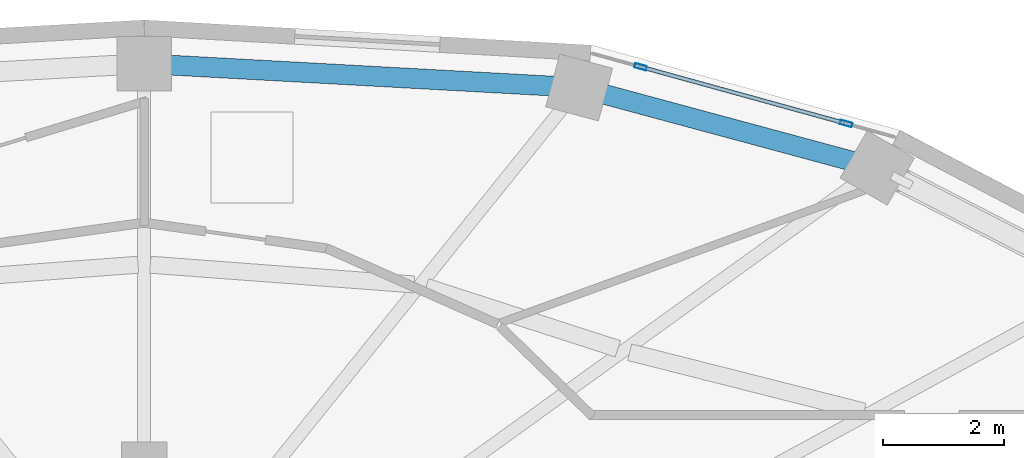
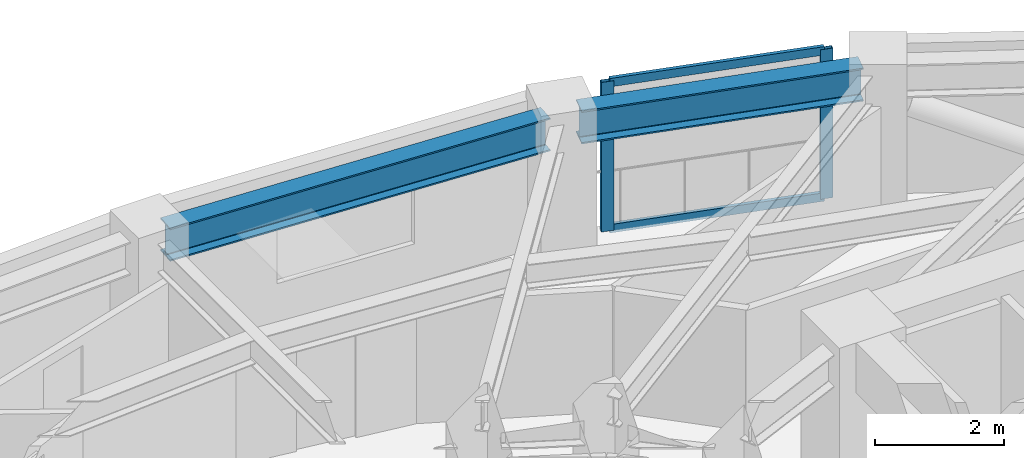
# One storey, part 9 of 17: 4 members, 2 beams, 1 element without a shape of its own.
"""IFC4 building model written with IfcOpenShell, lengths in metres."""

from ifc_helpers import new_model, si_unit, direction, frame, origin, origin_2d, place, context, subcontext, project, spatial, hollow_rectangle, i_section, extrude, material, layer, layer_set, material_profile, profile_set, type_object, element, aggregate, save


model = new_model("IFC4")

# Units and contexts
model_context = context("Model", 3, precision=1e-05, world=origin(), true_north=direction((0.0, 1.0)))
body_context = subcontext(model_context, "Body", "Model", "MODEL_VIEW")
ifc_project = project(units=[si_unit("LENGTHUNIT", "METRE"), si_unit("AREAUNIT", "SQUARE_METRE"), si_unit("VOLUMEUNIT", "CUBIC_METRE"), si_unit("PLANEANGLEUNIT", "RADIAN"), si_unit("MASSUNIT", "GRAM", prefix="KILO")], contexts=[model_context])

# Site, building, storey
site_placement = place(None, origin())
site = spatial("IfcSite", under=ifc_project, at=site_placement, CompositionType="ELEMENT")
building_placement = place(site_placement, origin())
building = spatial("IfcBuilding", under=site, at=building_placement, Name="Solvane Sanctuary Tower", CompositionType="ELEMENT")
storey_placement = place(building_placement, frame((0.0, 0.0, 171.5)))
storey = spatial("IfcBuildingStorey", under=building, at=storey_placement, Name="L52", CompositionType="ELEMENT", Elevation=171.5)

# Beams
ifc_material_1 = material(Name="Steel ASTM A992 Grade 50", Category="steel")
ifc_material_profile_1 = material_profile(ifc_material_1, i_section(OverallWidth=0.327880859375, OverallDepth=0.6279296875, WebThickness=0.0166015625, FlangeThickness=0.027587890625, FilletRadius=0.01611328125, at=origin_2d()), Name="W24X146")
ifc_profile_set_1 = profile_set([ifc_material_profile_1], Name="Steel ASTM A992 Grade 50")
beam_type = type_object("IfcBeamType", Name="Beam B-SPAND-Z3 W24X146", PredefinedType="SPANDREL", material=ifc_profile_set_1)
beam_1_placement = place(storey_placement, frame((32.279541015625, 38.064697265625, 2.56396484375), z_axis=(0.998501325362, -0.054727536496, 0.0), x_axis=(0.054727536496, 0.998501325362, 0.0)))
element("IfcBeam", 1, at=beam_1_placement, inside=storey, type_object=beam_type, Name="L52 Perimeter Spandrel Beam TC04-TC03", PredefinedType="SPANDREL", context=body_context, shape_type="SweptSolid", body=[
    extrude(i_section(OverallWidth=0.327880859375, OverallDepth=0.6279296875, WebThickness=0.0166015625, FlangeThickness=0.027587890625, FilletRadius=0.01611328125, at=origin_2d()), origin(), (0.0, 0.0, 1.0), 6.629150390625),
])
beam_2_placement = place(storey_placement, frame((39.448486328125, 37.61376953125, 2.56396484375), z_axis=(0.965473224565, -0.260502308334, 0.0), x_axis=(0.260502308334, 0.965473224565, 0.0)))
element("IfcBeam", 2, at=beam_2_placement, inside=storey, type_object=beam_type, Name="L52 Perimeter Spandrel Beam TC03-TC02", PredefinedType="SPANDREL", context=body_context, shape_type="SweptSolid", body=[
    extrude(i_section(OverallWidth=0.327880859375, OverallDepth=0.6279296875, WebThickness=0.0166015625, FlangeThickness=0.027587890625, FilletRadius=0.01611328125, at=origin_2d()), origin(), (0.0, 0.0, 1.0), 4.535888671875),
])

# Curtain wall, members
ifc_material_2 = material(Name="Anodised Aluminium 6063-T6", Category="aluminium")
ifc_layer = layer(ifc_material_2, 0.179931640625, Name="Anodised Aluminium 6063-T6")
ifc_layer_set = layer_set([ifc_layer], Name="Anodised Aluminium 6063-T6")
curtain_wall_type = type_object("IfcCurtainWallType", Name="Curtain Wall CW-FRIT-Z2", PredefinedType="NOTDEFINED", material=ifc_layer_set)
curtain_wall_placement = place(storey_placement, origin())
curtain_wall = element("IfcCurtainWall", 3, at=curtain_wall_placement, inside=storey, type_object=curtain_wall_type, Name="L52 CW-FRIT-Z2 Facade Run 04", PredefinedType="NOTDEFINED")
ifc_material_profile_2 = material_profile(ifc_material_2, hollow_rectangle(XDim=0.074951171875, YDim=0.199951171875, WallThickness=0.00390625, at=origin_2d()), Name="ALU200X75X4")
ifc_profile_set_2 = profile_set([ifc_material_profile_2], Name="Anodised Aluminium 6063-T6")
member_type_1 = type_object("IfcMemberType", Name="Member M-CW-MUL-1 ALU200X75X4", PredefinedType="MULLION", material=ifc_profile_set_2)
member_1_placement = place(storey_placement, frame((43.586669921875, 37.091552734375, 0.0), z_axis=(0.0, 0.0, 1.0), x_axis=(-0.266021653965, -0.963967053183, 0.0)))
member_1 = element("IfcMember", 4, at=member_1_placement, type_object=member_type_1, Name="CW-FRIT-Z2 mullion 1", PredefinedType="MULLION", context=body_context, shape_type="SweptSolid", body=[
    extrude(hollow_rectangle(XDim=0.074951171875, YDim=0.199951171875, WallThickness=0.00390625, at=origin_2d()), origin(), (0.0, 0.0, 1.0), 2.840087890625),
])
member_2_placement = place(storey_placement, frame((40.191650390625, 38.0283203125, 0.0), z_axis=(0.0, 0.0, 1.0), x_axis=(-0.266021653965, -0.963967053183, 0.0)))
member_2 = element("IfcMember", 5, at=member_2_placement, type_object=member_type_1, Name="CW-FRIT-Z2 mullion 2", PredefinedType="MULLION", context=body_context, shape_type="SweptSolid", body=[
    extrude(hollow_rectangle(XDim=0.074951171875, YDim=0.199951171875, WallThickness=0.00390625, at=origin_2d()), origin(), (0.0, 0.0, 1.0), 2.840087890625),
])
ifc_material_profile_3 = material_profile(ifc_material_2, hollow_rectangle(XDim=0.06494140625, YDim=0.159912109375, WallThickness=0.00341796875, at=origin_2d()), Name="ALU160X65X3.5")
ifc_profile_set_3 = profile_set([ifc_material_profile_3], Name="Anodised Aluminium 6063-T6")
member_type_2 = type_object("IfcMemberType", Name="Member M-CW-TRN-1 ALU160X65X3.5", PredefinedType="USERDEFINED", material=ifc_profile_set_3)
member_3_placement = place(storey_placement, frame((43.55029296875, 37.1015625, 0.032470703125), z_axis=(-0.963960051492, 0.266047024278, 0.0), x_axis=(-0.266047024278, -0.963960051492, 0.0)))
member_3 = element("IfcMember", 6, at=member_3_placement, type_object=member_type_2, Name="CW-FRIT-Z2 transom 1.1", ObjectType="TRANSOM", PredefinedType="USERDEFINED", context=body_context, shape_type="SweptSolid", body=[
    extrude(hollow_rectangle(XDim=0.06494140625, YDim=0.159912109375, WallThickness=0.00341796875, at=origin_2d()), origin(), (0.0, 0.0, 1.0), 3.44677734375),
])
member_4_placement = place(storey_placement, frame((43.55029296875, 37.1015625, 2.8076171875), z_axis=(-0.963960051492, 0.266047024278, 0.0), x_axis=(-0.266047024278, -0.963960051492, 0.0)))
member_4 = element("IfcMember", 7, at=member_4_placement, type_object=member_type_2, Name="CW-FRIT-Z2 transom 1.2", ObjectType="TRANSOM", PredefinedType="USERDEFINED", context=body_context, shape_type="SweptSolid", body=[
    extrude(hollow_rectangle(XDim=0.06494140625, YDim=0.159912109375, WallThickness=0.00341796875, at=origin_2d()), origin(), (0.0, 0.0, 1.0), 3.44677734375),
])
aggregate(curtain_wall, [member_1, member_2, member_3, member_4])

save(model, "model.ifc")
